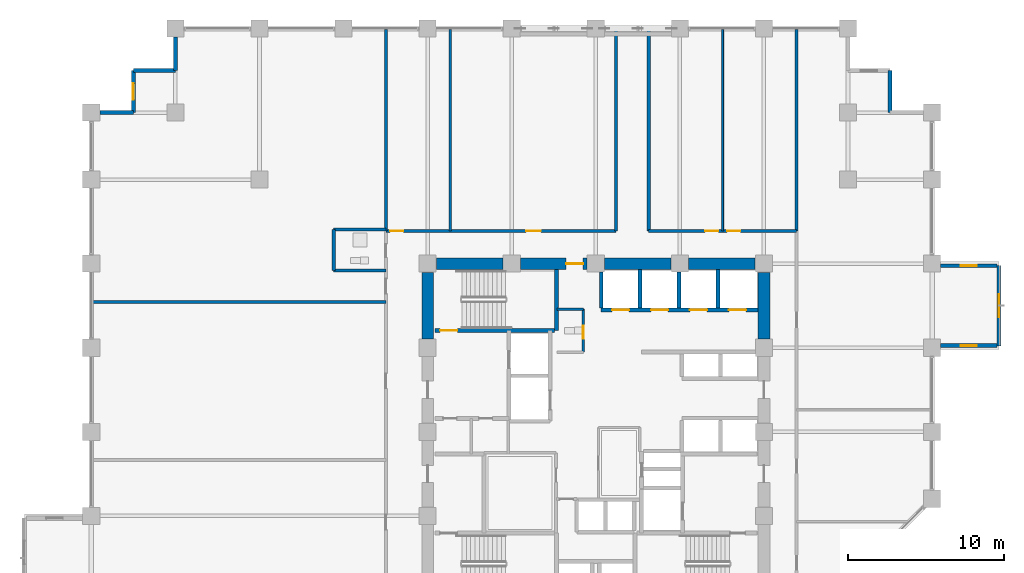
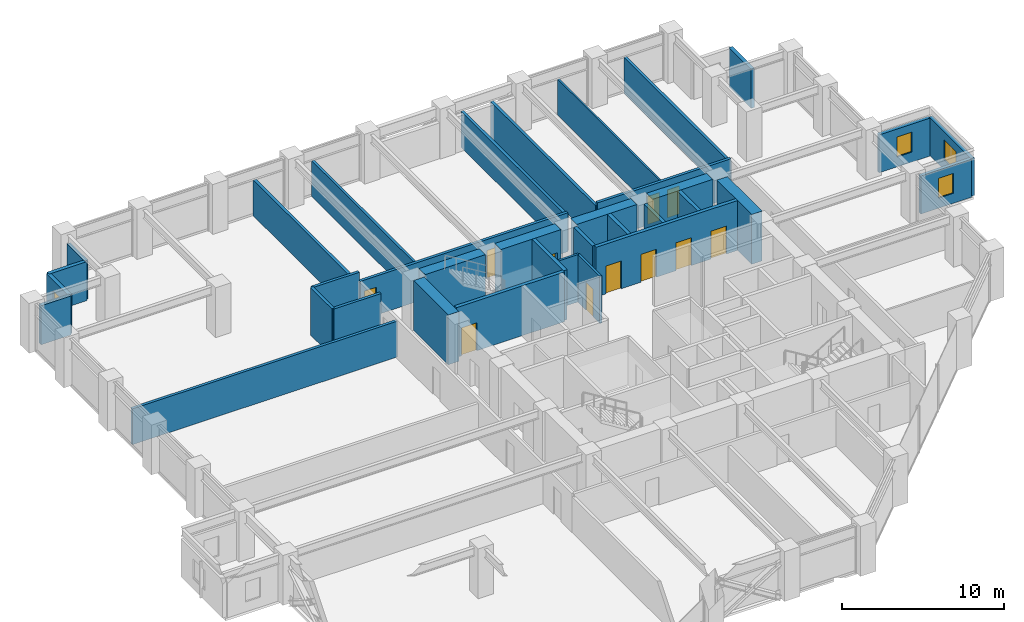
# One storey, part 24 of 29: 35 walls, 11 doors, 4 windows, 15 openings.
"""IFC4 building model written with IfcOpenShell, lengths in metres."""

from ifc_helpers import new_model, si_unit, direction, frame, frame_2d, origin, place, context, subcontext, project, spatial, rectangle, extrude, material, layer, layer_set, type_object, element, fill, save


model = new_model("IFC4")

# Units and contexts
model_context = context("Model", 3, precision=1e-05, world=origin(), true_north=direction((0.0, 1.0)))
body_context = subcontext(model_context, "Body", "Model", "MODEL_VIEW")
ifc_project = project(units=[si_unit("LENGTHUNIT", "METRE"), si_unit("AREAUNIT", "SQUARE_METRE"), si_unit("VOLUMEUNIT", "CUBIC_METRE"), si_unit("PLANEANGLEUNIT", "RADIAN"), si_unit("MASSUNIT", "GRAM", prefix="KILO")], contexts=[model_context])

# Site, building, storey
site_placement = place(None, origin())
site = spatial("IfcSite", under=ifc_project, at=site_placement, CompositionType="ELEMENT")
building_placement = place(site_placement, origin())
building = spatial("IfcBuilding", under=site, at=building_placement, Name="Surkhivell Harbour Commons", CompositionType="ELEMENT")
storey_placement = place(building_placement, frame((0.0, 0.0, 90.75)))
storey = spatial("IfcBuildingStorey", under=building, at=storey_placement, Name="L23", CompositionType="ELEMENT", Elevation=90.75)

# Wall
ifc_material_1 = material(Name="Concrete C60/75", Category="concrete")
ifc_layer_1 = layer(ifc_material_1, 0.75)
ifc_layer_set_1 = layer_set([ifc_layer_1], Name="Concrete C60/75")
wall_type_1 = type_object("IfcWallType", Name="WAL-CORE-750", PredefinedType="SHEAR", material=ifc_layer_set_1)
wall_1_placement = place(storey_placement, frame((-10.239990234375, 10.800048828125, 0.0), z_axis=(0.0, 0.0, 1.0), x_axis=(1.0, 0.0, 0.0)))
element("IfcWall", 1, at=wall_1_placement, inside=storey, type_object=wall_type_1, Name="L23 Core Shear Wall North 1", PredefinedType="SHEAR", context=body_context, shape_type="SweptSolid", body=[
    extrude(rectangle(XDim=4.280029296875, YDim=0.75, at=frame_2d((2.14013671875, 0.0))), origin(), (0.0, 0.0, 1.0), 3.75),
])

# Wall, opening, door
wall_2_placement = place(storey_placement, frame((-4.840087890625, 10.800048828125, 0.0), z_axis=(0.0, 0.0, 1.0), x_axis=(1.0, 0.0, 0.0)))
wall_2 = element("IfcWall", 2, at=wall_2_placement, inside=storey, type_object=wall_type_1, Name="L23 Core Shear Wall North 2", PredefinedType="SHEAR", context=body_context, shape_type="SweptSolid", body=[
    extrude(rectangle(XDim=4.280029296875, YDim=0.75, at=frame_2d((2.14013671875, 0.0))), origin(), (0.0, 0.0, 1.0), 3.75),
])
opening_1_placement = place(wall_2_placement, frame((2.929931640625, 0.0, 0.0)))
opening_1 = element("IfcOpeningElement", 3, at=opening_1_placement, cuts=wall_2, Name="Opening ID-2", PredefinedType="OPENING", context=body_context, shape_type="SweptSolid", body=[
    extrude(rectangle(XDim=1.10009765625, YDim=2.10009765625, at=frame_2d((0.550048828125, 1.050048828125))), frame((0.0, 0.385009765625, 0.0), z_axis=(0.0, -1.0, 0.0), x_axis=(1.0, 0.0, 0.0)), (0.0, 0.0, 1.0), 0.77001953125),
])
ifc_material_2 = material(Name="Hardwood-veneered fire-rated door leaf", Category="wood")
door_type_1 = type_object("IfcDoorType", Name="DOR-FD60-1100", OperationType="NOTDEFINED", PredefinedType="DOOR", material=ifc_material_2)
door_1_placement = place(opening_1_placement, origin())
door_1 = element("IfcDoor", 4, at=door_1_placement, inside=storey, type_object=door_type_1, Name="L23 Central Core Lift Hall North Corridor Door", OperationType="SINGLE_SWING_LEFT", OverallHeight=2.10009765625, OverallWidth=1.10009765625, PredefinedType="DOOR", context=body_context, shape_type="SweptSolid", body=[
    extrude(rectangle(XDim=1.10009765625, YDim=2.10009765625, at=frame_2d((0.550048828125, 1.050048828125))), frame((0.0, 0.02490234375, 0.0), z_axis=(0.0, -1.0, 0.0), x_axis=(1.0, 0.0, 0.0)), (0.0, 0.0, 1.0), 0.050048828125),
])
fill(opening_1, door_1)

# Walls
for number, where, z_axis, x_axis, name in (
    (5, (0.56005859375, 10.800048828125, 0.0), (0.0, 0.0, 1.0), (1.0, 0.0, 0.0), "L23 Core Shear Wall North 3"),
    (6, (5.9599609375, 10.800048828125, 0.0), (0.0, 0.0, 1.0), (1.0, 0.0, 0.0), "L23 Core Shear Wall North 4"),
    (7, (-10.800048828125, 5.9599609375, 0.0), (0.0, 0.0, 1.0), (0.0, 1.0, 0.0), "L23 Core Shear Wall West 4"),
    (8, (10.800048828125, 5.9599609375, 0.0), (0.0, 0.0, 1.0), (0.0, 1.0, 0.0), "L23 Core Shear Wall East 4"),
):
    element("IfcWall", number, at=place(storey_placement, frame(where, z_axis=z_axis, x_axis=x_axis)), inside=storey, type_object=wall_type_1, Name=name, PredefinedType="SHEAR", context=body_context, shape_type="SweptSolid", body=[
        extrude(rectangle(XDim=4.280029296875, YDim=0.75, at=frame_2d((2.14013671875, 0.0))), origin(), (0.0, 0.0, 1.0), 3.75),
    ])
ifc_material_3 = material(Name="Pale-metal insulated precast concrete C45/55", Category="concrete")
ifc_layer_2 = layer(ifc_material_3, 0.260009765625)
ifc_layer_set_2 = layer_set([ifc_layer_2], Name="Pale-metal insulated precast concrete C45/55")
wall_type_2 = type_object("IfcWallType", Name="WAL-EXT-MTL260", PredefinedType="STANDARD", material=ifc_layer_set_2)
wall_3_placement = place(storey_placement, frame((18.89990234375, 20.5, 0.0), z_axis=(0.0, 0.0, 1.0), x_axis=(0.0, 1.0, 0.0)))
element("IfcWall", 9, at=wall_3_placement, inside=storey, type_object=wall_type_2, Name="L23 Serrated Corner Facade Wall 04", PredefinedType="STANDARD", context=body_context, shape_type="SweptSolid", body=[
    extrude(rectangle(XDim=2.699951171875, YDim=0.260009765625, at=frame_2d((1.35009765625, 0.0))), origin(), (0.0, 0.0, 1.0), 2.93310546875),
])
wall_4_placement = place(storey_placement, frame((-27.0, 25.35205078125, 0.0), z_axis=(0.0, 0.0, 1.0), x_axis=(0.0, -1.0, 0.0)))
element("IfcWall", 10, at=wall_4_placement, inside=storey, type_object=wall_type_2, Name="L23 Serrated Corner Facade Wall 08", PredefinedType="STANDARD", context=body_context, shape_type="SweptSolid", body=[
    extrude(rectangle(XDim=2.152099609375, YDim=0.260009765625, at=frame_2d((1.076171875, 0.0))), origin(), (0.0, 0.0, 1.0), 2.93310546875),
])
wall_5_placement = place(storey_placement, frame((-27.0, 23.199951171875, 0.0), z_axis=(0.0, 0.0, 1.0), x_axis=(-1.0, 0.0, 0.0)))
element("IfcWall", 11, at=wall_5_placement, inside=storey, type_object=wall_type_2, Name="L23 Serrated Corner Facade Wall 09", PredefinedType="STANDARD", context=body_context, shape_type="SweptSolid", body=[
    extrude(rectangle(XDim=2.699951171875, YDim=0.260009765625, at=frame_2d((1.35009765625, 0.0))), origin(), (0.0, 0.0, 1.0), 2.93310546875),
])

# Wall, opening, window
wall_6_placement = place(storey_placement, frame((-29.699951171875, 23.199951171875, 0.0), z_axis=(0.0, 0.0, 1.0), x_axis=(0.0, -1.0, 0.0)))
wall_6 = element("IfcWall", 12, at=wall_6_placement, inside=storey, type_object=wall_type_2, Name="L23 Serrated Corner Facade Wall 10", PredefinedType="STANDARD", context=body_context, shape_type="SweptSolid", body=[
    extrude(rectangle(XDim=2.699951171875, YDim=0.260009765625, at=frame_2d((1.35009765625, 0.0))), origin(), (0.0, 0.0, 1.0), 2.93310546875),
])
opening_2_placement = place(wall_6_placement, frame((0.824951171875, 0.0, 0.64990234375)))
opening_2 = element("IfcOpeningElement", 13, at=opening_2_placement, cuts=wall_6, Name="Opening WN-11", PredefinedType="OPENING", context=body_context, shape_type="SweptSolid", body=[
    extrude(rectangle(XDim=1.050048828125, YDim=1.5, at=frame_2d((0.52490234375, 0.75))), frame((0.0, 0.139892578125, 0.0), z_axis=(0.0, -1.0, 0.0), x_axis=(1.0, 0.0, 0.0)), (0.0, 0.0, 1.0), 0.280029296875),
])
ifc_material_4 = material(Name="Thermal-break aluminium frame and double low-E glazing", Category="aluminium")
window_type_1 = type_object("IfcWindowType", Name="WIN-SER-1050x1500", PartitioningType="SINGLE_PANEL", PredefinedType="WINDOW", material=ifc_material_4)
window_1_placement = place(opening_2_placement, origin())
window_1 = element("IfcWindow", 14, at=window_1_placement, inside=storey, type_object=window_type_1, Name="L23 Serrated Alcove Window 10", OverallHeight=1.5, OverallWidth=1.050048828125, PartitioningType="SINGLE_PANEL", PredefinedType="WINDOW", context=body_context, shape_type="SweptSolid", body=[
    extrude(rectangle(XDim=1.050048828125, YDim=1.5, at=frame_2d((0.52490234375, 0.75))), frame((0.0, 0.030029296875, 0.0), z_axis=(0.0, -1.0, 0.0), x_axis=(1.0, 0.0, 0.0)), (0.0, 0.0, 1.0), 0.06005859375),
])
fill(opening_2, window_1)

# Wall
wall_7_placement = place(storey_placement, frame((-29.699951171875, 20.5, 0.0), z_axis=(0.0, 0.0, 1.0), x_axis=(-1.0, 0.0, 0.0)))
element("IfcWall", 15, at=wall_7_placement, inside=storey, type_object=wall_type_2, Name="L23 Serrated Corner Facade Wall 11", PredefinedType="STANDARD", context=body_context, shape_type="SweptSolid", body=[
    extrude(rectangle(XDim=2.152099609375, YDim=0.260009765625, at=frame_2d((1.076171875, 0.0))), origin(), (0.0, 0.0, 1.0), 2.93310546875),
])

# Wall, opening, window
ifc_material_5 = material(Name="Bronze-ochre cassette precast concrete C45/55", Category="concrete")
ifc_layer_3 = layer(ifc_material_5, 0.239990234375)
ifc_layer_set_3 = layer_set([ifc_layer_3], Name="Bronze-ochre cassette precast concrete C45/55")
wall_type_3 = type_object("IfcWallType", Name="WAL-EXT-OCH240", PredefinedType="STANDARD", material=ifc_layer_set_3)
wall_8_placement = place(storey_placement, frame((25.89990234375, 5.52001953125, 0.0), z_axis=(0.0, 0.0, 1.0), x_axis=(0.0, 1.0, 0.0)))
wall_8 = element("IfcWall", 16, at=wall_8_placement, inside=storey, type_object=wall_type_3, Name="L23 Coloured Box Front Wall 01", PredefinedType="STANDARD", context=body_context, shape_type="SweptSolid", body=[
    extrude(rectangle(XDim=5.159912109375, YDim=0.239990234375, at=frame_2d((2.580078125, 0.0))), origin(), (0.0, 0.0, 1.0), 2.85693359375),
])
opening_3_placement = place(wall_8_placement, frame((1.830078125, 0.0, 0.75)))
opening_3 = element("IfcOpeningElement", 17, at=opening_3_placement, cuts=wall_8, Name="Opening WN-13", PredefinedType="OPENING", context=body_context, shape_type="SweptSolid", body=[
    extrude(rectangle(XDim=1.5, YDim=1.5, at=frame_2d((0.75, 0.75))), frame((0.0, 0.1298828125, 0.0), z_axis=(0.0, -1.0, 0.0), x_axis=(1.0, 0.0, 0.0)), (0.0, 0.0, 1.0), 0.260009765625),
])
window_type_2 = type_object("IfcWindowType", Name="WIN-BOX-1500x1500", PartitioningType="SINGLE_PANEL", PredefinedType="WINDOW", material=ifc_material_4)
window_2_placement = place(opening_3_placement, origin())
window_2 = element("IfcWindow", 18, at=window_2_placement, inside=storey, type_object=window_type_2, Name="L23 Coloured Box Square Window 01-1", OverallHeight=1.5, OverallWidth=1.5, PartitioningType="SINGLE_PANEL", PredefinedType="WINDOW", context=body_context, shape_type="SweptSolid", body=[
    extrude(rectangle(XDim=1.5, YDim=1.5, at=frame_2d((0.75, 0.75))), frame((0.0, 0.030029296875, 0.0), z_axis=(0.0, -1.0, 0.0), x_axis=(1.0, 0.0, 0.0)), (0.0, 0.0, 1.0), 0.06005859375),
])
fill(opening_3, window_2)

wall_9_placement = place(storey_placement, frame((22.154052734375, 5.5400390625, 0.0), z_axis=(0.0, 0.0, 1.0), x_axis=(1.0, 0.0, 0.0)))
wall_9 = element("IfcWall", 19, at=wall_9_placement, inside=storey, type_object=wall_type_3, Name="L23 Coloured Box Return Wall 01S", PredefinedType="STANDARD", context=body_context, shape_type="SweptSolid", body=[
    extrude(rectangle(XDim=3.60595703125, YDim=0.239990234375, at=frame_2d((1.802978515625, 0.0))), origin(), (0.0, 0.0, 1.0), 2.85693359375),
])
opening_4_placement = place(wall_9_placement, frame((1.278076171875, 0.0, 0.75)))
opening_4 = element("IfcOpeningElement", 20, at=opening_4_placement, cuts=wall_9, Name="Opening WN-11", PredefinedType="OPENING", context=body_context, shape_type="SweptSolid", body=[
    extrude(rectangle(XDim=1.050048828125, YDim=1.5, at=frame_2d((0.52490234375, 0.75))), frame((0.0, 0.1298828125, 0.0), z_axis=(0.0, -1.0, 0.0), x_axis=(1.0, 0.0, 0.0)), (0.0, 0.0, 1.0), 0.260009765625),
])
window_3_placement = place(opening_4_placement, origin())
window_3 = element("IfcWindow", 21, at=window_3_placement, inside=storey, type_object=window_type_1, Name="L23 Coloured Box Return Window 01S", OverallHeight=1.5, OverallWidth=1.050048828125, PartitioningType="SINGLE_PANEL", PredefinedType="WINDOW", context=body_context, shape_type="SweptSolid", body=[
    extrude(rectangle(XDim=1.050048828125, YDim=1.5, at=frame_2d((0.52490234375, 0.75))), frame((0.0, 0.030029296875, 0.0), z_axis=(0.0, -1.0, 0.0), x_axis=(1.0, 0.0, 0.0)), (0.0, 0.0, 1.0), 0.06005859375),
])
fill(opening_4, window_3)

wall_10_placement = place(storey_placement, frame((22.154052734375, 10.659912109375, 0.0), z_axis=(0.0, 0.0, 1.0), x_axis=(1.0, 0.0, 0.0)))
wall_10 = element("IfcWall", 22, at=wall_10_placement, inside=storey, type_object=wall_type_3, Name="L23 Coloured Box Return Wall 01N", PredefinedType="STANDARD", context=body_context, shape_type="SweptSolid", body=[
    extrude(rectangle(XDim=3.60595703125, YDim=0.239990234375, at=frame_2d((1.802978515625, 0.0))), origin(), (0.0, 0.0, 1.0), 2.85693359375),
])
opening_5_placement = place(wall_10_placement, frame((1.278076171875, 0.0, 0.75)))
opening_5 = element("IfcOpeningElement", 23, at=opening_5_placement, cuts=wall_10, Name="Opening WN-11", PredefinedType="OPENING", context=body_context, shape_type="SweptSolid", body=[
    extrude(rectangle(XDim=1.050048828125, YDim=1.5, at=frame_2d((0.52490234375, 0.75))), frame((0.0, 0.1298828125, 0.0), z_axis=(0.0, -1.0, 0.0), x_axis=(1.0, 0.0, 0.0)), (0.0, 0.0, 1.0), 0.260009765625),
])
window_4_placement = place(opening_5_placement, origin())
window_4 = element("IfcWindow", 24, at=window_4_placement, inside=storey, type_object=window_type_1, Name="L23 Coloured Box Return Window 01N", OverallHeight=1.5, OverallWidth=1.050048828125, PartitioningType="SINGLE_PANEL", PredefinedType="WINDOW", context=body_context, shape_type="SweptSolid", body=[
    extrude(rectangle(XDim=1.050048828125, YDim=1.5, at=frame_2d((0.52490234375, 0.75))), frame((0.0, 0.030029296875, 0.0), z_axis=(0.0, -1.0, 0.0), x_axis=(1.0, 0.0, 0.0)), (0.0, 0.0, 1.0), 0.06005859375),
])
fill(opening_5, window_4)

# Wall
ifc_material_6 = material(Name="Moisture-resistant acoustic stud partition", Category="other")
ifc_layer_4 = layer(ifc_material_6, 0.125)
ifc_layer_set_4 = layer_set([ifc_layer_4], Name="Moisture-resistant acoustic stud partition")
wall_type_4 = type_object("IfcWallType", Name="WAL-INT-125", PredefinedType="PARTITIONING", material=ifc_layer_set_4)
wall_11_placement = place(storey_placement, frame((8.14990234375, 12.89990234375, 0.0), z_axis=(0.0, 0.0, 1.0), x_axis=(0.0, 1.0, 0.0)))
element("IfcWall", 25, at=wall_11_placement, inside=storey, type_object=wall_type_4, Name="L23 North-East Partition P1", PredefinedType="PARTITIONING", context=body_context, shape_type="SweptSolid", body=[
    extrude(rectangle(XDim=12.940185546875, YDim=0.125, at=frame_2d((6.47021484375, 0.0))), origin(), (0.0, 0.0, 1.0), 2.698974609375),
])

# Wall, opening, door
ifc_material_7 = material(Name="Twin-stud acoustic fireboard partition", Category="other")
ifc_layer_5 = layer(ifc_material_7, 0.14990234375)
ifc_layer_set_5 = layer_set([ifc_layer_5], Name="Twin-stud acoustic fireboard partition")
wall_type_5 = type_object("IfcWallType", Name="WAL-INT-150", PredefinedType="PARTITIONING", material=ifc_layer_set_5)
wall_12_placement = place(storey_placement, frame((-0.800048828125, 5.1201171875, 0.0), z_axis=(0.0, 0.0, 1.0), x_axis=(0.0, 1.0, 0.0)))
wall_12 = element("IfcWall", 26, at=wall_12_placement, inside=storey, type_object=wall_type_5, Name="L23 Core Accessible WC East Wall", PredefinedType="PARTITIONING", context=body_context, shape_type="SweptSolid", body=[
    extrude(rectangle(XDim=2.759765625, YDim=0.14990234375, at=frame_2d((1.3798828125, 0.0))), origin(), (0.0, 0.0, 1.0), 3.570068359375),
])
opening_6_placement = place(wall_12_placement, frame((0.85009765625, 0.0, 0.0)))
opening_6 = element("IfcOpeningElement", 27, at=opening_6_placement, cuts=wall_12, Name="Opening ID-6", PredefinedType="OPENING", context=body_context, shape_type="SweptSolid", body=[
    extrude(rectangle(XDim=0.85009765625, YDim=2.10009765625, at=frame_2d((0.425048828125, 1.050048828125))), frame((0.0, 0.0849609375, 0.0), z_axis=(0.0, -1.0, 0.0), x_axis=(1.0, 0.0, 0.0)), (0.0, 0.0, 1.0), 0.169921875),
])
door_type_2 = type_object("IfcDoorType", Name="DOR-FD30-850", OperationType="NOTDEFINED", PredefinedType="DOOR", material=ifc_material_2)
door_2_placement = place(opening_6_placement, origin())
door_2 = element("IfcDoor", 28, at=door_2_placement, inside=storey, type_object=door_type_2, Name="L23 Floor Accessible WC Door", OperationType="SINGLE_SWING_LEFT", OverallHeight=2.10009765625, OverallWidth=0.85009765625, PredefinedType="DOOR", context=body_context, shape_type="SweptSolid", body=[
    extrude(rectangle(XDim=0.85009765625, YDim=2.10009765625, at=frame_2d((0.425048828125, 1.050048828125))), frame((0.0, 0.02490234375, 0.0), z_axis=(0.0, -1.0, 0.0), x_axis=(1.0, 0.0, 0.0)), (0.0, 0.0, 1.0), 0.050048828125),
])
fill(opening_6, door_2)

# Walls
wall_13_placement = place(storey_placement, frame((-2.47998046875, 7.8798828125, 0.0), z_axis=(0.0, 0.0, 1.0), x_axis=(1.0, 0.0, 0.0)))
element("IfcWall", 29, at=wall_13_placement, inside=storey, type_object=wall_type_5, Name="L23 Core Accessible WC North Wall", PredefinedType="PARTITIONING", context=body_context, shape_type="SweptSolid", body=[
    extrude(rectangle(XDim=1.679931640625, YDim=0.14990234375, at=frame_2d((0.83984375, 0.0))), origin(), (0.0, 0.0, 1.0), 3.570068359375),
])
ifc_material_8 = material(Name="High-density acoustic blockwork fire partition", Category="masonry")
ifc_layer_6 = layer(ifc_material_8, 0.175048828125)
ifc_layer_set_6 = layer_set([ifc_layer_6], Name="High-density acoustic blockwork fire partition")
wall_type_6 = type_object("IfcWallType", Name="WAL-INT-175", PredefinedType="PARTITIONING", material=ifc_layer_set_6)
wall_14_placement = place(storey_placement, frame((-9.340087890625, 12.89990234375, 0.0), z_axis=(0.0, 0.0, 1.0), x_axis=(0.0, 1.0, 0.0)))
element("IfcWall", 30, at=wall_14_placement, inside=storey, type_object=wall_type_6, Name="L23 North-West Partition P1", PredefinedType="PARTITIONING", context=body_context, shape_type="SweptSolid", body=[
    extrude(rectangle(XDim=12.940185546875, YDim=0.175048828125, at=frame_2d((6.47021484375, 0.0))), origin(), (0.0, 0.0, 1.0), 2.698974609375),
])
ifc_material_9 = material(Name="Autoclaved aerated concrete blockwork and fire plaster", Category="masonry")
ifc_layer_7 = layer(ifc_material_9, 0.199951171875)
ifc_layer_set_7 = layer_set([ifc_layer_7], Name="Autoclaved aerated concrete blockwork and fire plaster")
wall_type_7 = type_object("IfcWallType", Name="WAL-INT-200", PredefinedType="PARTITIONING", material=ifc_layer_set_7)
for number, where, z_axis, x_axis, name in (
    (31, (12.89990234375, 12.89990234375, 0.0), (0.0, 0.0, 1.0), (0.0, 1.0, 0.0), "L23 North-East Wing Corner Divider"),
    (32, (-13.47998046875, 12.89990234375, 0.0), (0.0, 0.0, 1.0), (0.0, 1.0, 0.0), "L23 North-West Wing Corner Divider"),
):
    element("IfcWall", number, at=place(storey_placement, frame(where, z_axis=z_axis, x_axis=x_axis)), inside=storey, type_object=wall_type_7, Name=name, PredefinedType="PARTITIONING", context=body_context, shape_type="SweptSolid", body=[
        extrude(rectangle(XDim=12.940185546875, YDim=0.199951171875, at=frame_2d((6.47021484375, 0.0))), origin(), (0.0, 0.0, 1.0), 2.698974609375),
    ])

# Wall, openings, doors
wall_15_placement = place(storey_placement, frame((-13.47998046875, 12.89990234375, 0.0), z_axis=(0.0, 0.0, 1.0), x_axis=(1.0, 0.0, 0.0)))
wall_15 = element("IfcWall", 33, at=wall_15_placement, inside=storey, type_object=wall_type_7, Name="L23 Corridor North-West Wall", PredefinedType="PARTITIONING", context=body_context, shape_type="SweptSolid", body=[
    extrude(rectangle(XDim=14.780029296875, YDim=0.199951171875, at=frame_2d((7.39013671875, 0.0))), origin(), (0.0, 0.0, 1.0), 2.93310546875),
])
opening_7_placement = place(wall_15_placement, frame((0.280029296875, 0.0, 0.0)))
opening_7 = element("IfcOpeningElement", 34, at=opening_7_placement, cuts=wall_15, Name="Opening ID-6", PredefinedType="OPENING", context=body_context, shape_type="SweptSolid", body=[
    extrude(rectangle(XDim=0.85009765625, YDim=2.10009765625, at=frame_2d((0.425048828125, 1.050048828125))), frame((0.0, 0.10986328125, 0.0), z_axis=(0.0, -1.0, 0.0), x_axis=(1.0, 0.0, 0.0)), (0.0, 0.0, 1.0), 0.219970703125),
])
opening_8_placement = place(wall_15_placement, frame((9.010009765625, 0.0, 0.0)))
opening_8 = element("IfcOpeningElement", 35, at=opening_8_placement, cuts=wall_15, Name="Opening ID-4", PredefinedType="OPENING", context=body_context, shape_type="SweptSolid", body=[
    extrude(rectangle(XDim=0.949951171875, YDim=2.10009765625, at=frame_2d((0.47509765625, 1.050048828125))), frame((0.0, 0.10986328125, 0.0), z_axis=(0.0, -1.0, 0.0), x_axis=(1.0, 0.0, 0.0)), (0.0, 0.0, 1.0), 0.219970703125),
])
door_3_placement = place(opening_7_placement, origin())
door_3 = element("IfcDoor", 36, at=door_3_placement, inside=storey, type_object=door_type_2, Name="L23 Shared Communal Kitchen A North-West Door", OperationType="SINGLE_SWING_RIGHT", OverallHeight=2.10009765625, OverallWidth=0.85009765625, PredefinedType="DOOR", context=body_context, shape_type="SweptSolid", body=[
    extrude(rectangle(XDim=0.85009765625, YDim=2.10009765625, at=frame_2d((0.425048828125, 1.050048828125))), frame((0.0, 0.02490234375, 0.0), z_axis=(0.0, -1.0, 0.0), x_axis=(1.0, 0.0, 0.0)), (0.0, 0.0, 1.0), 0.050048828125),
])
fill(opening_7, door_3)
door_type_3 = type_object("IfcDoorType", Name="DOR-FD60-950", OperationType="NOTDEFINED", PredefinedType="DOOR", material=ifc_material_2)
door_4_placement = place(opening_8_placement, origin())
door_4 = element("IfcDoor", 37, at=door_4_placement, inside=storey, type_object=door_type_3, Name="L23 Shared Communal Kitchen B North-West Door", OperationType="SINGLE_SWING_LEFT", OverallHeight=2.10009765625, OverallWidth=0.949951171875, PredefinedType="DOOR", context=body_context, shape_type="SweptSolid", body=[
    extrude(rectangle(XDim=0.949951171875, YDim=2.10009765625, at=frame_2d((0.47509765625, 1.050048828125))), frame((0.0, 0.02490234375, 0.0), z_axis=(0.0, -1.0, 0.0), x_axis=(1.0, 0.0, 0.0)), (0.0, 0.0, 1.0), 0.050048828125),
])
fill(opening_8, door_4)

wall_16_placement = place(storey_placement, frame((3.39990234375, 12.89990234375, 0.0), z_axis=(0.0, 0.0, 1.0), x_axis=(1.0, 0.0, 0.0)))
wall_16 = element("IfcWall", 38, at=wall_16_placement, inside=storey, type_object=wall_type_7, Name="L23 Corridor North-East Wall", PredefinedType="PARTITIONING", context=body_context, shape_type="SweptSolid", body=[
    extrude(rectangle(XDim=9.5, YDim=0.199951171875, at=frame_2d((4.75, 0.0))), origin(), (0.0, 0.0, 1.0), 2.93310546875),
])
opening_9_placement = place(wall_16_placement, frame((3.6201171875, 0.0, 0.0)))
opening_9 = element("IfcOpeningElement", 39, at=opening_9_placement, cuts=wall_16, Name="Opening ID-6", PredefinedType="OPENING", context=body_context, shape_type="SweptSolid", body=[
    extrude(rectangle(XDim=0.85009765625, YDim=2.10009765625, at=frame_2d((0.425048828125, 1.050048828125))), frame((0.0, 0.10986328125, 0.0), z_axis=(0.0, -1.0, 0.0), x_axis=(1.0, 0.0, 0.0)), (0.0, 0.0, 1.0), 0.219970703125),
])
opening_10_placement = place(wall_16_placement, frame((5.030029296875, 0.0, 0.0)))
opening_10 = element("IfcOpeningElement", 40, at=opening_10_placement, cuts=wall_16, Name="Opening ID-6", PredefinedType="OPENING", context=body_context, shape_type="SweptSolid", body=[
    extrude(rectangle(XDim=0.85009765625, YDim=2.10009765625, at=frame_2d((0.425048828125, 1.050048828125))), frame((0.0, 0.10986328125, 0.0), z_axis=(0.0, -1.0, 0.0), x_axis=(1.0, 0.0, 0.0)), (0.0, 0.0, 1.0), 0.219970703125),
])
door_5_placement = place(opening_9_placement, origin())
door_5 = element("IfcDoor", 41, at=door_5_placement, inside=storey, type_object=door_type_2, Name="L23 Campus Co-Op Bookshop North-East Door", OperationType="SINGLE_SWING_RIGHT", OverallHeight=2.10009765625, OverallWidth=0.85009765625, PredefinedType="DOOR", context=body_context, shape_type="SweptSolid", body=[
    extrude(rectangle(XDim=0.85009765625, YDim=2.10009765625, at=frame_2d((0.425048828125, 1.050048828125))), frame((0.0, 0.02490234375, 0.0), z_axis=(0.0, -1.0, 0.0), x_axis=(1.0, 0.0, 0.0)), (0.0, 0.0, 1.0), 0.050048828125),
])
fill(opening_9, door_5)
door_6_placement = place(opening_10_placement, origin())
door_6 = element("IfcDoor", 42, at=door_6_placement, inside=storey, type_object=door_type_2, Name="L23 Harbour Espresso Cafe Shop North-East Door", OperationType="SINGLE_SWING_LEFT", OverallHeight=2.10009765625, OverallWidth=0.85009765625, PredefinedType="DOOR", context=body_context, shape_type="SweptSolid", body=[
    extrude(rectangle(XDim=0.85009765625, YDim=2.10009765625, at=frame_2d((0.425048828125, 1.050048828125))), frame((0.0, 0.02490234375, 0.0), z_axis=(0.0, -1.0, 0.0), x_axis=(1.0, 0.0, 0.0)), (0.0, 0.0, 1.0), 0.050048828125),
])
fill(opening_10, door_6)

# Walls
for number, where, z_axis, x_axis, name in (
    (43, (3.39990234375, 12.89990234375, 0.0), (0.0, 0.0, 1.0), (0.0, 1.0, 0.0), "L23 North Alcove East Wall"),
    (44, (1.300048828125, 12.89990234375, 0.0), (0.0, 0.0, 1.0), (0.0, 1.0, 0.0), "L23 North Alcove West Wall"),
):
    element("IfcWall", number, at=place(storey_placement, frame(where, z_axis=z_axis, x_axis=x_axis)), inside=storey, type_object=wall_type_7, Name=name, PredefinedType="PARTITIONING", context=body_context, shape_type="SweptSolid", body=[
        extrude(rectangle(XDim=12.940185546875, YDim=0.199951171875, at=frame_2d((6.47021484375, 0.0))), origin(), (0.0, 0.0, 1.0), 2.698974609375),
    ])
wall_17_placement = place(storey_placement, frame((-16.830078125, 10.35009765625, 0.0), z_axis=(0.0, 0.0, 1.0), x_axis=(0.0, 1.0, 0.0)))
element("IfcWall", 45, at=wall_17_placement, inside=storey, type_object=wall_type_7, Name="L23 West Partition BTHB", PredefinedType="PARTITIONING", context=body_context, shape_type="SweptSolid", body=[
    extrude(rectangle(XDim=2.64990234375, YDim=0.199951171875, at=frame_2d((1.324951171875, 0.0))), origin(), (0.0, 0.0, 1.0), 3.570068359375),
])
for number, where, z_axis, x_axis, name in (
    (46, (-16.830078125, 13.0, 0.0), (0.0, 0.0, 1.0), (1.0, 0.0, 0.0), "L23 West Partition BTHN"),
    (47, (-16.830078125, 10.35009765625, 0.0), (0.0, 0.0, 1.0), (1.0, 0.0, 0.0), "L23 West Partition BTHS"),
):
    element("IfcWall", number, at=place(storey_placement, frame(where, z_axis=z_axis, x_axis=x_axis)), inside=storey, type_object=wall_type_7, Name=name, PredefinedType="PARTITIONING", context=body_context, shape_type="SweptSolid", body=[
        extrude(rectangle(XDim=3.35009765625, YDim=0.199951171875, at=frame_2d((1.675048828125, 0.0))), origin(), (0.0, 0.0, 1.0), 3.570068359375),
    ])
wall_18_placement = place(storey_placement, frame((-32.340087890625, 8.35009765625, 0.0), z_axis=(0.0, 0.0, 1.0), x_axis=(1.0, 0.0, 0.0)))
element("IfcWall", 48, at=wall_18_placement, inside=storey, type_object=wall_type_7, Name="L23 West Partition PTOP", PredefinedType="PARTITIONING", context=body_context, shape_type="SweptSolid", body=[
    extrude(rectangle(XDim=18.860107421875, YDim=0.199951171875, at=frame_2d((9.43017578125, 0.0))), origin(), (0.0, 0.0, 1.0), 2.698974609375),
])
ifc_material_10 = material(Name="Concrete C50/60", Category="concrete")
ifc_layer_8 = layer(ifc_material_10, 0.25)
ifc_layer_set_8 = layer_set([ifc_layer_8], Name="Concrete C50/60")
wall_type_8 = type_object("IfcWallType", Name="WAL-SHAFT-250", PredefinedType="SHEAR", material=ifc_layer_set_8)
wall_19_placement = place(storey_placement, frame((2.85009765625, 7.93994140625, 0.0), z_axis=(0.0, 0.0, 1.0), x_axis=(0.0, 1.0, 0.0)))
element("IfcWall", 49, at=wall_19_placement, inside=storey, type_object=wall_type_8, Name="L23 Low-Rise Hoistway Wall", PredefinedType="SHEAR", context=body_context, shape_type="SweptSolid", body=[
    extrude(rectangle(XDim=2.485107421875, YDim=0.25, at=frame_2d((1.24267578125, 0.0))), origin(), (0.0, 0.0, 1.0), 3.75),
])
for number, where, z_axis, x_axis, name in (
    (50, (0.35009765625, 7.93994140625, 0.0), (0.0, 0.0, 1.0), (0.0, 1.0, 0.0), "L23 Low-Rise Hoistway Wall"),
    (51, (5.35009765625, 7.93994140625, 0.0), (0.0, 0.0, 1.0), (0.0, 1.0, 0.0), "L23 Low-Rise Hoistway Wall"),
):
    element("IfcWall", number, at=place(storey_placement, frame(where, z_axis=z_axis, x_axis=x_axis)), inside=storey, type_object=wall_type_8, Name=name, PredefinedType="SHEAR", context=body_context, shape_type="SweptSolid", body=[
        extrude(rectangle(XDim=2.31005859375, YDim=0.25, at=frame_2d((1.155029296875, 0.0))), origin(), (0.0, 0.0, 1.0), 3.75),
    ])
wall_20_placement = place(storey_placement, frame((7.85009765625, 7.93994140625, 0.0), z_axis=(0.0, 0.0, 1.0), x_axis=(0.0, 1.0, 0.0)))
element("IfcWall", 52, at=wall_20_placement, inside=storey, type_object=wall_type_8, Name="L23 Low-Rise Hoistway Wall", PredefinedType="SHEAR", context=body_context, shape_type="SweptSolid", body=[
    extrude(rectangle(XDim=2.485107421875, YDim=0.25, at=frame_2d((1.24267578125, 0.0))), origin(), (0.0, 0.0, 1.0), 3.75),
])

# Wall, openings, doors
wall_21_placement = place(storey_placement, frame((0.35009765625, 7.820068359375, 0.0), z_axis=(0.0, 0.0, 1.0), x_axis=(1.0, 0.0, 0.0)))
wall_21 = element("IfcWall", 53, at=wall_21_placement, inside=storey, type_object=wall_type_8, Name="L23 Low-Rise Lift Front Shaft Wall", PredefinedType="SHEAR", context=body_context, shape_type="SweptSolid", body=[
    extrude(rectangle(XDim=10.074951171875, YDim=0.25, at=frame_2d((5.03759765625, 0.0))), origin(), (0.0, 0.0, 1.0), 3.75),
])
opening_11_placement = place(wall_21_placement, frame((0.699951171875, 0.0, 0.0)))
opening_11 = element("IfcOpeningElement", 54, at=opening_11_placement, cuts=wall_21, Name="Opening LD-1", PredefinedType="OPENING", context=body_context, shape_type="SweptSolid", body=[
    extrude(rectangle(XDim=1.10009765625, YDim=2.10009765625, at=frame_2d((0.550048828125, 1.050048828125))), frame((0.0, 0.135009765625, 0.0), z_axis=(0.0, -1.0, 0.0), x_axis=(1.0, 0.0, 0.0)), (0.0, 0.0, 1.0), 0.27001953125),
])
opening_12_placement = place(wall_21_placement, frame((3.199951171875, 0.0, 0.0)))
opening_12 = element("IfcOpeningElement", 55, at=opening_12_placement, cuts=wall_21, Name="Opening LD-1", PredefinedType="OPENING", context=body_context, shape_type="SweptSolid", body=[
    extrude(rectangle(XDim=1.10009765625, YDim=2.10009765625, at=frame_2d((0.550048828125, 1.050048828125))), frame((0.0, 0.135009765625, 0.0), z_axis=(0.0, -1.0, 0.0), x_axis=(1.0, 0.0, 0.0)), (0.0, 0.0, 1.0), 0.27001953125),
])
opening_13_placement = place(wall_21_placement, frame((5.699951171875, 0.0, 0.0)))
opening_13 = element("IfcOpeningElement", 56, at=opening_13_placement, cuts=wall_21, Name="Opening LD-1", PredefinedType="OPENING", context=body_context, shape_type="SweptSolid", body=[
    extrude(rectangle(XDim=1.10009765625, YDim=2.10009765625, at=frame_2d((0.550048828125, 1.050048828125))), frame((0.0, 0.135009765625, 0.0), z_axis=(0.0, -1.0, 0.0), x_axis=(1.0, 0.0, 0.0)), (0.0, 0.0, 1.0), 0.27001953125),
])
opening_14_placement = place(wall_21_placement, frame((8.199951171875, 0.0, 0.0)))
opening_14 = element("IfcOpeningElement", 57, at=opening_14_placement, cuts=wall_21, Name="Opening LD-1", PredefinedType="OPENING", context=body_context, shape_type="SweptSolid", body=[
    extrude(rectangle(XDim=1.10009765625, YDim=2.10009765625, at=frame_2d((0.550048828125, 1.050048828125))), frame((0.0, 0.135009765625, 0.0), z_axis=(0.0, -1.0, 0.0), x_axis=(1.0, 0.0, 0.0)), (0.0, 0.0, 1.0), 0.27001953125),
])
ifc_material_11 = material(Name="Brushed stainless steel S355", Category="steel")
door_type_4 = type_object("IfcDoorType", Name="DOR-LD-1100", OperationType="SLIDING_TO_LEFT", PredefinedType="DOOR", material=ifc_material_11)
door_7_placement = place(opening_11_placement, origin())
door_7 = element("IfcDoor", 58, at=door_7_placement, inside=storey, type_object=door_type_4, Name="L23 Lift Landing Door LD-PL1", OperationType="SLIDING_TO_LEFT", OverallHeight=2.10009765625, OverallWidth=1.10009765625, PredefinedType="DOOR", context=body_context, shape_type="SweptSolid", body=[
    extrude(rectangle(XDim=1.10009765625, YDim=2.10009765625, at=frame_2d((0.550048828125, 1.050048828125))), frame((0.0, 0.02490234375, 0.0), z_axis=(0.0, -1.0, 0.0), x_axis=(1.0, 0.0, 0.0)), (0.0, 0.0, 1.0), 0.050048828125),
])
fill(opening_11, door_7)
door_8_placement = place(opening_12_placement, origin())
door_8 = element("IfcDoor", 59, at=door_8_placement, inside=storey, type_object=door_type_4, Name="L23 Lift Landing Door LD-PL2", OperationType="SLIDING_TO_LEFT", OverallHeight=2.10009765625, OverallWidth=1.10009765625, PredefinedType="DOOR", context=body_context, shape_type="SweptSolid", body=[
    extrude(rectangle(XDim=1.10009765625, YDim=2.10009765625, at=frame_2d((0.550048828125, 1.050048828125))), frame((0.0, 0.02490234375, 0.0), z_axis=(0.0, -1.0, 0.0), x_axis=(1.0, 0.0, 0.0)), (0.0, 0.0, 1.0), 0.050048828125),
])
fill(opening_12, door_8)
door_9_placement = place(opening_13_placement, origin())
door_9 = element("IfcDoor", 60, at=door_9_placement, inside=storey, type_object=door_type_4, Name="L23 Lift Landing Door LD-PL3", OperationType="SLIDING_TO_LEFT", OverallHeight=2.10009765625, OverallWidth=1.10009765625, PredefinedType="DOOR", context=body_context, shape_type="SweptSolid", body=[
    extrude(rectangle(XDim=1.10009765625, YDim=2.10009765625, at=frame_2d((0.550048828125, 1.050048828125))), frame((0.0, 0.02490234375, 0.0), z_axis=(0.0, -1.0, 0.0), x_axis=(1.0, 0.0, 0.0)), (0.0, 0.0, 1.0), 0.050048828125),
])
fill(opening_13, door_9)
door_10_placement = place(opening_14_placement, origin())
door_10 = element("IfcDoor", 61, at=door_10_placement, inside=storey, type_object=door_type_4, Name="L23 Lift Landing Door LD-PL4", OperationType="SLIDING_TO_LEFT", OverallHeight=2.10009765625, OverallWidth=1.10009765625, PredefinedType="DOOR", context=body_context, shape_type="SweptSolid", body=[
    extrude(rectangle(XDim=1.10009765625, YDim=2.10009765625, at=frame_2d((0.550048828125, 1.050048828125))), frame((0.0, 0.02490234375, 0.0), z_axis=(0.0, -1.0, 0.0), x_axis=(1.0, 0.0, 0.0)), (0.0, 0.0, 1.0), 0.050048828125),
])
fill(opening_14, door_10)

# Wall
wall_22_placement = place(storey_placement, frame((-2.510009765625, 6.510009765625, 0.0), z_axis=(0.0, 0.0, 1.0), x_axis=(0.0, 1.0, 0.0)))
element("IfcWall", 62, at=wall_22_placement, inside=storey, type_object=wall_type_8, Name="L23 Stair ST1 East Shear Wall", PredefinedType="SHEAR", context=body_context, shape_type="SweptSolid", body=[
    extrude(rectangle(XDim=3.9150390625, YDim=0.25, at=frame_2d((1.95751953125, 0.0))), origin(), (0.0, 0.0, 1.0), 3.75),
])

# Wall, opening, door
wall_23_placement = place(storey_placement, frame((-10.340087890625, 6.510009765625, 0.0), z_axis=(0.0, 0.0, 1.0), x_axis=(1.0, 0.0, 0.0)))
wall_23 = element("IfcWall", 63, at=wall_23_placement, inside=storey, type_object=wall_type_8, Name="L23 Stair ST1 South Shear Wall", PredefinedType="SHEAR", context=body_context, shape_type="SweptSolid", body=[
    extrude(rectangle(XDim=7.7001953125, YDim=0.25, at=frame_2d((3.85009765625, 0.0))), origin(), (0.0, 0.0, 1.0), 3.75),
])
opening_15_placement = place(wall_23_placement, frame((0.35009765625, 0.0, 0.0)))
opening_15 = element("IfcOpeningElement", 64, at=opening_15_placement, cuts=wall_23, Name="Opening ID-2", PredefinedType="OPENING", context=body_context, shape_type="SweptSolid", body=[
    extrude(rectangle(XDim=1.10009765625, YDim=2.10009765625, at=frame_2d((0.550048828125, 1.050048828125))), frame((0.0, 0.135009765625, 0.0), z_axis=(0.0, -1.0, 0.0), x_axis=(1.0, 0.0, 0.0)), (0.0, 0.0, 1.0), 0.27001953125),
])
door_11_placement = place(opening_15_placement, origin())
door_11 = element("IfcDoor", 65, at=door_11_placement, inside=storey, type_object=door_type_1, Name="L23 Stair ST1 Exit Door", OperationType="SINGLE_SWING_LEFT", OverallHeight=2.10009765625, OverallWidth=1.10009765625, PredefinedType="DOOR", context=body_context, shape_type="SweptSolid", body=[
    extrude(rectangle(XDim=1.10009765625, YDim=2.10009765625, at=frame_2d((0.550048828125, 1.050048828125))), frame((0.0, 0.02490234375, 0.0), z_axis=(0.0, -1.0, 0.0), x_axis=(1.0, 0.0, 0.0)), (0.0, 0.0, 1.0), 0.050048828125),
])
fill(opening_15, door_11)

save(model, "model.ifc")
